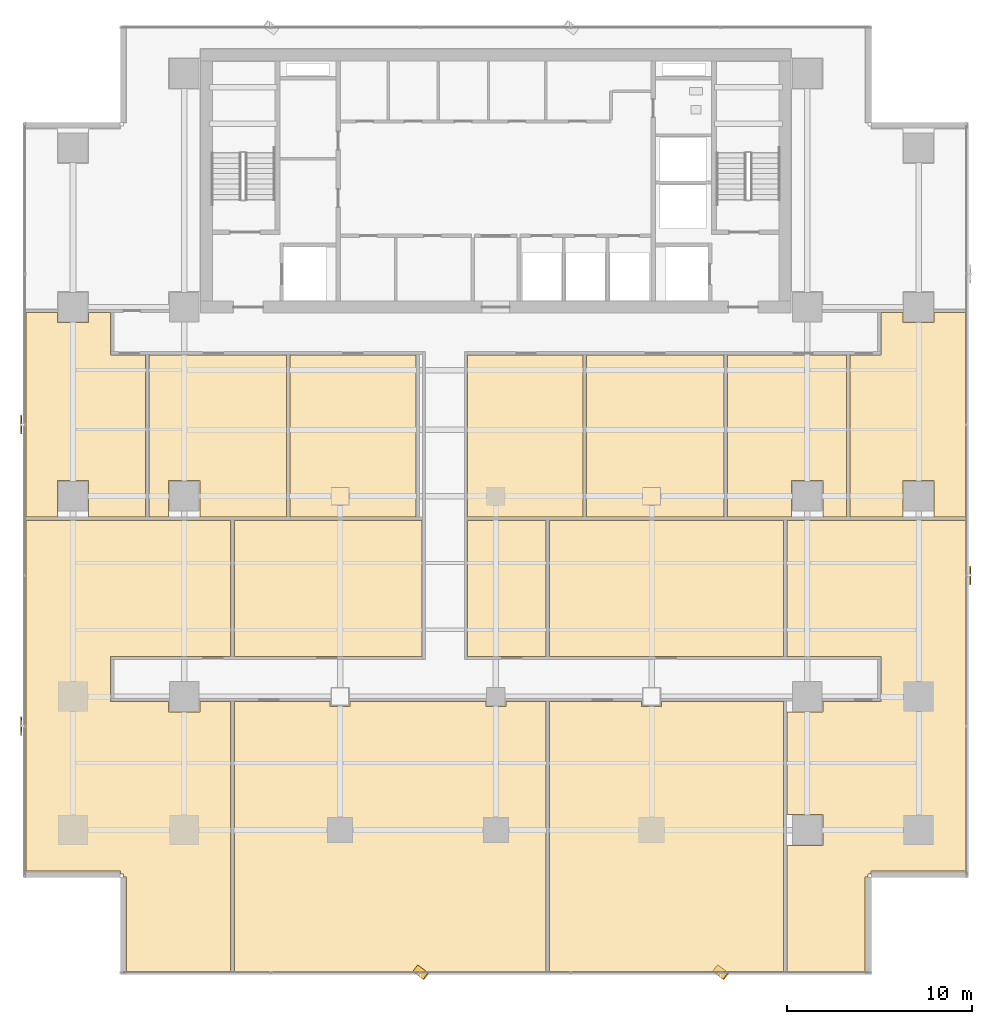
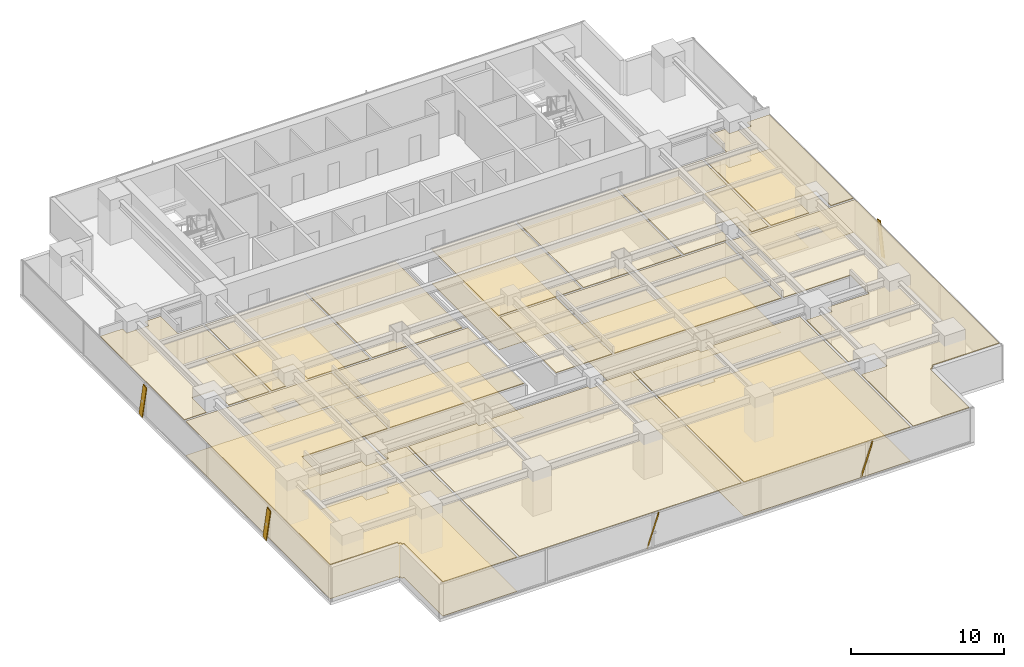
# One storey, part 33 of 37: 21 coverings, 5 shading devices.
"""IFC4 building model written with IfcOpenShell, lengths in metres."""

import ifcopenshell
import ifcopenshell.guid

model = None  # the IFC model being written
_history = None  # IfcOwnerHistory: only IFC2X3 demands one
_inside = {}  # id of a spatial element -> (the spatial element, [elements in it])
_under = {}  # id of a project, library or spatial element -> (it, [spatial elements below it])
_declared = {}  # id of a project -> (the project, [libraries it declares])
_typed = {}  # id of a type object -> (the type object, [elements of that type])
_made_of = {}  # id of a material, layer set ... -> (it, [elements and type objects made of it])


def new_model(schema):
    """Start an empty IFC model of exactly this schema.

    Asked for "IFC4X3", IfcOpenShell would pick the latest addendum, in which some entities
    have other attributes; the version numbers below select the first issue.
    IFC2X3 requires an IfcOwnerHistory on every rooted entity: one is made here for all.
    """
    global model, _history
    if schema == "IFC4X3":
        model = ifcopenshell.file(schema_version=(4, 3, 0, 0))
    else:
        model = ifcopenshell.file(schema=schema)
    _inside.clear()
    _under.clear()
    _declared.clear()
    _typed.clear()
    _made_of.clear()
    _history = None
    if model.schema == "IFC2X3":
        org = make("IfcOrganization", Name="unknown")
        user = make(
            "IfcPersonAndOrganization",
            ThePerson=make("IfcPerson", FamilyName="unknown"),
            TheOrganization=org,
        )
        app = make(
            "IfcApplication",
            ApplicationDeveloper=org,
            Version="unknown",
            ApplicationFullName="unknown",
            ApplicationIdentifier="unknown",
        )
        _history = make(
            "IfcOwnerHistory",
            OwningUser=user,
            OwningApplication=app,
            ChangeAction="ADDED",
            CreationDate=0,
        )
    return model


def make(cls, **values):
    """One entity of the class cls with the attributes given. An attribute that is None is left unset."""
    return model.create_entity(
        cls, **{name: value for name, value in values.items() if value is not None}
    )


def rooted(cls, **values):
    """An entity with a GlobalId (a new one), such as an element, a storey or a relation."""
    return make(cls, GlobalId=ifcopenshell.guid.new(), OwnerHistory=_history, **values)


def si_unit(unit_type, name, prefix=None):
    """IfcSIUnit, for example si_unit("LENGTHUNIT", "METRE", prefix="MILLI")."""
    return make("IfcSIUnit", UnitType=unit_type, Prefix=prefix, Name=name)


def assignment(units):
    """IfcUnitAssignment: the units of a project."""
    return None if units is None else make("IfcUnitAssignment", Units=units)


def point(xyz):
    """IfcCartesianPoint."""
    return None if xyz is None else make("IfcCartesianPoint", Coordinates=xyz)


def direction(xyz):
    """IfcDirection."""
    return None if xyz is None else make("IfcDirection", DirectionRatios=xyz)


def frame(location, z_axis=None, x_axis=None):
    """IfcAxis2Placement3D, a coordinate frame: its origin and axes. An axis left out is left unset."""
    return make(
        "IfcAxis2Placement3D",
        Location=point(location),
        Axis=direction(z_axis),
        RefDirection=direction(x_axis),
    )


def frame_2d(location, x_axis=None):
    """IfcAxis2Placement2D, a coordinate frame in the plane: its origin and x axis."""
    return make(
        "IfcAxis2Placement2D", Location=point(location), RefDirection=direction(x_axis)
    )


def origin():
    """The frame at (0, 0, 0) with its axes left unset."""
    return frame((0.0, 0.0, 0.0))


def origin_2d():
    """The frame at (0, 0) in the plane with its x axis left unset."""
    return frame_2d((0.0, 0.0))


def place(relative_to, where):
    """IfcLocalPlacement: puts the frame where relative to a parent placement (None: the world)."""
    return make(
        "IfcLocalPlacement", PlacementRelTo=relative_to, RelativePlacement=where
    )


def context(
    kind, dimensions, precision=None, world=None, true_north=None, identifier=None
):
    """IfcGeometricRepresentationContext, for example the 3D "Model" context."""
    return make(
        "IfcGeometricRepresentationContext",
        ContextIdentifier=identifier,
        ContextType=kind,
        CoordinateSpaceDimension=dimensions,
        Precision=precision,
        WorldCoordinateSystem=world,
        TrueNorth=true_north,
    )


def subcontext(parent, identifier, kind, view, scale=None):
    """IfcGeometricRepresentationSubContext, for example "Body" below "Model"."""
    return make(
        "IfcGeometricRepresentationSubContext",
        ContextIdentifier=identifier,
        ContextType=kind,
        ParentContext=parent,
        TargetScale=scale,
        TargetView=view,
    )


def project(units=None, contexts=None):
    """IfcProject with its units and contexts."""
    return rooted(
        "IfcProject",
        Name="project",
        RepresentationContexts=contexts,
        UnitsInContext=assignment(units),
    )


def spatial(cls, under=None, at=None, **own):
    """A site, building, storey or space (cls), placed at a placement, below another one or the project."""
    s = rooted(cls, ObjectPlacement=at, **own)
    if under is not None:
        _under.setdefault(under.id(), (under, []))[1].append(s)
    return s


def polyline(points):
    """IfcPolyline through the points."""
    return make("IfcPolyline", Points=[point(p) for p in points])


def profile(cls, at=None, kind="AREA", **sizes):
    """A parametric profile (cls). Its sizes go by their IFC names, for example OverallWidth=200.0."""
    return make(cls, ProfileType=kind, Position=at, **sizes)


def rectangle(**sizes):
    """IfcRectangleProfileDef."""
    return profile("IfcRectangleProfileDef", **sizes)


def outline(outer, holes=None, kind="AREA"):
    """IfcArbitraryClosedProfileDef: a profile drawn as a closed curve; with holes, ...WithVoids."""
    if holes is None:
        return make("IfcArbitraryClosedProfileDef", ProfileType=kind, OuterCurve=outer)
    return make(
        "IfcArbitraryProfileDefWithVoids",
        ProfileType=kind,
        OuterCurve=outer,
        InnerCurves=holes,
    )


def extrude(swept, where, along, depth):
    """IfcExtrudedAreaSolid: the profile swept, set in the frame where, extruded along a direction by depth."""
    return make(
        "IfcExtrudedAreaSolid",
        SweptArea=swept,
        Position=where,
        ExtrudedDirection=direction(along),
        Depth=depth,
    )


def shape(context_of_items, identifier, shape_type, items):
    """IfcShapeRepresentation: the items that make up one representation, for example the "Body"."""
    return make(
        "IfcShapeRepresentation",
        ContextOfItems=context_of_items,
        RepresentationIdentifier=identifier,
        RepresentationType=shape_type,
        Items=items,
    )


def source(mapping_origin, context_of_items, identifier, shape_type, items):
    """IfcRepresentationMap: a shape defined once, which mapped items show again and again."""
    return make(
        "IfcRepresentationMap",
        MappingOrigin=mapping_origin,
        MappedRepresentation=shape(context_of_items, identifier, shape_type, items),
    )


def transform(
    local_origin,
    x_axis=None,
    y_axis=None,
    z_axis=None,
    scale=None,
    scale2=None,
    scale3=None,
    uniform=True,
):
    """IfcCartesianTransformationOperator3D, or its non-uniform kind. x_axis, y_axis, z_axis: its Axis1, 2, 3."""
    if uniform:
        return make(
            "IfcCartesianTransformationOperator3D",
            Axis1=direction(x_axis),
            Axis2=direction(y_axis),
            LocalOrigin=point(local_origin),
            Scale=scale,
            Axis3=direction(z_axis),
        )
    return make(
        "IfcCartesianTransformationOperator3DnonUniform",
        Axis1=direction(x_axis),
        Axis2=direction(y_axis),
        LocalOrigin=point(local_origin),
        Scale=scale,
        Axis3=direction(z_axis),
        Scale2=scale2,
        Scale3=scale3,
    )


def mapped(mapping_source, mapping_target):
    """IfcMappedItem: shows the shape of a source again, moved by a transform."""
    return make(
        "IfcMappedItem", MappingSource=mapping_source, MappingTarget=mapping_target
    )


def material(Name=None, Category=None):
    """IfcMaterial."""
    return make("IfcMaterial", Name=Name, Category=Category)


def layer(
    of_material, thickness, ventilated=None, Name=None, Category=None, Priority=None
):
    """IfcMaterialLayer: one layer of a wall or slab, of a material (None: an air gap)."""
    return make(
        "IfcMaterialLayer",
        Material=of_material,
        LayerThickness=thickness,
        IsVentilated=ventilated,
        Name=Name,
        Category=Category,
        Priority=Priority,
    )


def layer_set(layers, Name=None):
    """IfcMaterialLayerSet."""
    return make("IfcMaterialLayerSet", MaterialLayers=layers, LayerSetName=Name)


def material_profile(
    of_material, cross_section, Name=None, Category=None, Priority=None
):
    """IfcMaterialProfile: a cross section and its material."""
    return make(
        "IfcMaterialProfile",
        Name=Name,
        Material=of_material,
        Profile=cross_section,
        Priority=Priority,
        Category=Category,
    )


def profile_set(profiles, Name=None, composite=None):
    """IfcMaterialProfileSet."""
    return make(
        "IfcMaterialProfileSet",
        Name=Name,
        MaterialProfiles=profiles,
        CompositeProfile=composite,
    )


def made_of(thing, what):
    """Note that an element or type object is made of a material, layer set ...; save() writes the relation."""
    if what is not None:
        _made_of.setdefault(what.id(), (what, []))[1].append(thing)
    return thing


def type_object(cls, material=None, **own):
    """A type object (cls), such as IfcWallType, which elements share."""
    return made_of(rooted(cls, **own), material)


def element(
    cls,
    number,
    at=None,
    inside=None,
    cuts=None,
    type_object=None,
    material=None,
    context=None,
    identifier="Body",
    shape_type=None,
    held_by="IfcProductDefinitionShape",
    body=None,
    shapes=None,
    **own,
):
    """One element of the class cls, such as IfcWall. Its Tag is "e" and its number.

    at: its placement. inside: the storey or other place that contains it. cuts: it is an
    opening in that element (IfcRelVoidsElement). A single representation is given by context,
    identifier, shape_type and body (its items); several are given by shapes. held_by: the class
    of the entity that holds the representations. save() writes the other relations.
    """
    e = rooted(cls, Tag="e%d" % number, ObjectPlacement=at, **own)
    if body is not None:
        shapes = [shape(context, identifier, shape_type, body)]
    if shapes is not None:
        e.Representation = make(held_by, Representations=shapes)
    if inside is not None:
        _inside.setdefault(inside.id(), (inside, []))[1].append(e)
    if cuts is not None:
        rooted(
            "IfcRelVoidsElement", RelatingBuildingElement=cuts, RelatedOpeningElement=e
        )
    if type_object is not None:
        _typed.setdefault(type_object.id(), (type_object, []))[1].append(e)
    return made_of(e, material)


def aggregate(whole, parts):
    """IfcRelAggregates: a whole, such as a stair, and the parts it consists of."""
    return rooted("IfcRelAggregates", RelatingObject=whole, RelatedObjects=parts)


def save(model, path):
    """Write the relations noted so far, then the file.

    IfcRelAggregates (storeys below a building ...), IfcRelContainedInSpatialStructure (elements
    in a storey), IfcRelDefinesByType, IfcRelAssociatesMaterial and IfcRelDeclares: one each for
    every whole, place, type object, material and project.
    """
    for whole, parts in _under.values():
        aggregate(whole, parts)
    for where, things in _inside.values():
        rooted(
            "IfcRelContainedInSpatialStructure",
            RelatedElements=things,
            RelatingStructure=where,
        )
    for kind, things in _typed.values():
        rooted("IfcRelDefinesByType", RelatedObjects=things, RelatingType=kind)
    for what, things in _made_of.values():
        rooted("IfcRelAssociatesMaterial", RelatedObjects=things, RelatingMaterial=what)
    for by, libraries in _declared.values():
        rooted("IfcRelDeclares", RelatingContext=by, RelatedDefinitions=libraries)
    model.write(path)


model = new_model("IFC4")

# Units and contexts
model_context = context("Model", 3, precision=1e-05, world=origin(), true_north=direction((0.0, 1.0)))
body_context = subcontext(model_context, "Body", "Model", "MODEL_VIEW")
ifc_project = project(units=[si_unit("LENGTHUNIT", "METRE"), si_unit("AREAUNIT", "SQUARE_METRE"), si_unit("VOLUMEUNIT", "CUBIC_METRE"), si_unit("PLANEANGLEUNIT", "RADIAN"), si_unit("MASSUNIT", "GRAM", prefix="KILO")], contexts=[model_context])

# Site, building, storey
site_placement = place(None, origin())
site = spatial("IfcSite", under=ifc_project, at=site_placement, CompositionType="ELEMENT")
building_placement = place(site_placement, origin())
building = spatial("IfcBuilding", under=site, at=building_placement, Name="Sumidabori Civic Tower", CompositionType="ELEMENT")
storey_placement = place(building_placement, frame((0.0, 0.0, 95.60009765625)))
storey = spatial("IfcBuildingStorey", under=building, at=storey_placement, Name="L24", CompositionType="ELEMENT", Elevation=95.60009765625)

# Coverings
ifc_material_1 = material(Name="Gypsum Coffered Acoustic Ceiling")
ifc_layer_1 = layer(ifc_material_1, 0.06494140625, Name="Gypsum Coffered Acoustic Ceiling")
ifc_layer_set_1 = layer_set([ifc_layer_1], Name="Gypsum Coffered Acoustic Ceiling")
covering_type_1 = type_object("IfcCoveringType", Name="CV-CEIL-AC4", PredefinedType="CEILING", material=ifc_layer_set_1)
covering_1_placement = place(storey_placement, frame((0.0, 0.0, 2.7099609375)))
element("IfcCovering", 1, at=covering_1_placement, inside=storey, type_object=covering_type_1, Name="Room Acoustic Ceiling L24-02", PredefinedType="CEILING", context=body_context, shape_type="SweptSolid", body=[
    extrude(outline(polyline([(-25.330078125, -1.10498046875), (-25.330078125, 9.905029296875), (-23.639892578125, 9.905029296875), (-23.639892578125, 9.360107421875), (-21.9599609375, 9.360107421875), (-21.9599609375, 9.905029296875), (-20.77001953125, 9.905029296875), (-20.77001953125, 7.6298828125), (-18.89501953125, 7.6298828125), (-18.89501953125, -1.10498046875), (-21.9599609375, -1.10498046875), (-21.9599609375, 0.840087890625), (-23.639892578125, 0.840087890625), (-23.639892578125, -1.10498046875), (-25.330078125, -1.10498046875)])), origin(), (0.0, 0.0, 1.0), 0.06494140625),
])
covering_2_placement = place(storey_placement, frame((0.0, 0.0, 2.7099609375)))
element("IfcCovering", 2, at=covering_2_placement, inside=storey, type_object=covering_type_1, Name="Room Acoustic Ceiling L24-03", PredefinedType="CEILING", context=body_context, shape_type="SweptSolid", body=[
    extrude(outline(polyline([(19.094970703125, 7.6298828125), (20.77001953125, 7.6298828125), (20.77001953125, 9.905029296875), (21.9599609375, 9.905029296875), (21.9599609375, 9.360107421875), (23.639892578125, 9.360107421875), (23.639892578125, 9.905029296875), (25.330078125, 9.905029296875), (25.330078125, -1.10498046875), (23.639892578125, -1.10498046875), (23.639892578125, 0.840087890625), (21.9599609375, 0.840087890625), (21.9599609375, -1.10498046875), (19.094970703125, -1.10498046875), (19.094970703125, 7.6298828125)])), origin(), (0.0, 0.0, 1.0), 0.06494140625),
])
covering_3_placement = place(storey_placement, frame((0.0, 0.0, 2.7099609375)))
element("IfcCovering", 3, at=covering_3_placement, inside=storey, type_object=covering_type_1, Name="Room Acoustic Ceiling L24-04", PredefinedType="CEILING", context=body_context, shape_type="SweptSolid", body=[
    extrude(outline(polyline([(12.4951171875, 7.6298828125), (18.905029296875, 7.6298828125), (18.905029296875, -1.10498046875), (17.639892578125, -1.10498046875), (17.639892578125, 0.840087890625), (15.9599609375, 0.840087890625), (15.9599609375, -1.10498046875), (12.4951171875, -1.10498046875), (12.4951171875, 7.6298828125)])), origin(), (0.0, 0.0, 1.0), 0.06494140625),
])
covering_4_placement = place(storey_placement, frame((0.0, 0.0, 2.7099609375)))
element("IfcCovering", 4, at=covering_4_placement, inside=storey, type_object=covering_type_1, Name="Room Acoustic Ceiling L24-05", PredefinedType="CEILING", context=body_context, shape_type="SweptSolid", body=[
    extrude(outline(polyline([(-18.705078125, 7.6298828125), (-11.294921875, 7.6298828125), (-11.294921875, -1.10498046875), (-15.9599609375, -1.10498046875), (-15.9599609375, 0.840087890625), (-17.639892578125, 0.840087890625), (-17.639892578125, -1.10498046875), (-18.705078125, -1.10498046875), (-18.705078125, 7.6298828125)])), origin(), (0.0, 0.0, 1.0), 0.06494140625),
])
covering_5_placement = place(storey_placement, frame((0.0, 0.0, 2.7099609375)))
element("IfcCovering", 5, at=covering_5_placement, inside=storey, type_object=covering_type_1, Name="Room Acoustic Ceiling L24-06", PredefinedType="CEILING", context=body_context, shape_type="SweptSolid", body=[
    extrude(outline(polyline([(-11.10498046875, 7.6298828125), (-4.294921875, 7.6298828125), (-4.294921875, -1.10498046875), (-11.10498046875, -1.10498046875), (-11.10498046875, 7.6298828125)])), origin(), (0.0, 0.0, 1.0), 0.06494140625),
])
covering_6_placement = place(storey_placement, frame((0.0, 0.0, 2.7099609375)))
element("IfcCovering", 6, at=covering_6_placement, inside=storey, type_object=covering_type_1, Name="Room Acoustic Ceiling L24-07", PredefinedType="CEILING", context=body_context, shape_type="SweptSolid", body=[
    extrude(outline(polyline([(-1.530029296875, 7.6298828125), (4.705078125, 7.6298828125), (4.705078125, -1.10498046875), (-1.530029296875, -1.10498046875), (-1.530029296875, 7.6298828125)])), origin(), (0.0, 0.0, 1.0), 0.06494140625),
])
covering_7_placement = place(storey_placement, frame((0.0, 0.0, 2.7099609375)))
element("IfcCovering", 7, at=covering_7_placement, inside=storey, type_object=covering_type_1, Name="Room Acoustic Ceiling L24-08", PredefinedType="CEILING", context=body_context, shape_type="SweptSolid", body=[
    extrude(outline(polyline([(4.89501953125, 7.6298828125), (12.304931640625, 7.6298828125), (12.304931640625, -1.10498046875), (4.89501953125, -1.10498046875), (4.89501953125, 7.6298828125)])), origin(), (0.0, 0.0, 1.0), 0.06494140625),
])
covering_8_placement = place(storey_placement, frame((0.0, 0.0, 2.7099609375)))
element("IfcCovering", 8, at=covering_8_placement, inside=storey, type_object=covering_type_1, Name="Room Acoustic Ceiling L24-09", PredefinedType="CEILING", context=body_context, shape_type="SweptSolid", body=[
    extrude(outline(polyline([(-3.969970703125, -8.6298828125), (-14.10498046875, -8.6298828125), (-14.10498046875, -1.294921875), (-3.969970703125, -1.294921875), (-3.969970703125, -8.6298828125)])), origin(), (0.0, 0.0, 1.0), 0.06494140625),
])
covering_9_placement = place(storey_placement, frame((0.0, 0.0, 2.7099609375)))
element("IfcCovering", 9, at=covering_9_placement, inside=storey, type_object=covering_type_1, Name="Room Acoustic Ceiling L24-10", PredefinedType="CEILING", context=body_context, shape_type="SweptSolid", body=[
    extrude(outline(polyline([(-1.530029296875, -8.6298828125), (-1.530029296875, -1.294921875), (2.705078125, -1.294921875), (2.705078125, -8.6298828125), (-1.530029296875, -8.6298828125)])), origin(), (0.0, 0.0, 1.0), 0.06494140625),
])
covering_10_placement = place(storey_placement, frame((0.0, 0.0, 2.7099609375)))
element("IfcCovering", 10, at=covering_10_placement, inside=storey, type_object=covering_type_1, Name="Room Acoustic Ceiling L24-11", PredefinedType="CEILING", context=body_context, shape_type="SweptSolid", body=[
    extrude(outline(polyline([(2.89501953125, -8.6298828125), (2.89501953125, -1.294921875), (15.5048828125, -1.294921875), (15.5048828125, -8.6298828125), (2.89501953125, -8.6298828125)])), origin(), (0.0, 0.0, 1.0), 0.06494140625),
])
covering_11_placement = place(storey_placement, frame((0.0, 0.0, 2.7099609375)))
element("IfcCovering", 11, at=covering_11_placement, inside=storey, type_object=covering_type_1, Name="Room Acoustic Ceiling L24-12", PredefinedType="CEILING", context=body_context, shape_type="SweptSolid", body=[
    extrude(outline(polyline([(15.695068359375, -18.840087890625), (17.639892578125, -18.840087890625), (17.639892578125, -17.159912109375), (15.695068359375, -17.159912109375), (15.695068359375, -11.639892578125), (17.639892578125, -11.639892578125), (17.639892578125, -11.070068359375), (20.77001953125, -11.070068359375), (20.77001953125, -8.6298828125), (15.695068359375, -8.6298828125), (15.695068359375, -1.294921875), (25.330078125, -1.294921875), (25.330078125, -20.221923828125), (20.241943359375, -20.221923828125), (20.241943359375, -20.3798828125), (20.080078125, -20.3798828125), (20.080078125, -20.5419921875), (19.922119140625, -20.5419921875), (19.922119140625, -25.6298828125), (15.695068359375, -25.6298828125), (15.695068359375, -18.840087890625)])), origin(), (0.0, 0.0, 1.0), 0.06494140625),
])
covering_12_placement = place(storey_placement, frame((0.0, 0.0, 2.7099609375)))
element("IfcCovering", 12, at=covering_12_placement, inside=storey, type_object=covering_type_1, Name="Room Acoustic Ceiling L24-13", PredefinedType="CEILING", context=body_context, shape_type="SweptSolid", body=[
    extrude(outline(polyline([(-25.330078125, -20.221923828125), (-25.330078125, -1.294921875), (-14.294921875, -1.294921875), (-14.294921875, -8.6298828125), (-20.77001953125, -8.6298828125), (-20.77001953125, -11.070068359375), (-17.639892578125, -11.070068359375), (-17.639892578125, -11.639892578125), (-15.9599609375, -11.639892578125), (-15.9599609375, -11.070068359375), (-14.294921875, -11.070068359375), (-14.294921875, -25.6298828125), (-19.922119140625, -25.6298828125), (-19.922119140625, -20.5419921875), (-20.080078125, -20.5419921875), (-20.080078125, -20.3798828125), (-20.241943359375, -20.3798828125), (-20.241943359375, -20.221923828125), (-25.330078125, -20.221923828125)])), origin(), (0.0, 0.0, 1.0), 0.06494140625),
])
covering_13_placement = place(storey_placement, frame((0.0, 0.0, 2.7099609375)))
element("IfcCovering", 13, at=covering_13_placement, inside=storey, type_object=covering_type_1, Name="Room Acoustic Ceiling L24-14", PredefinedType="CEILING", context=body_context, shape_type="SweptSolid", body=[
    extrude(outline(polyline([(-14.10498046875, -11.070068359375), (-8.93994140625, -11.070068359375), (-8.93994140625, -11.340087890625), (-7.860107421875, -11.340087890625), (-7.860107421875, -11.070068359375), (-0.5400390625, -11.070068359375), (-0.5400390625, -11.340087890625), (0.5400390625, -11.340087890625), (0.5400390625, -11.070068359375), (2.705078125, -11.070068359375), (2.705078125, -25.6298828125), (-14.10498046875, -25.6298828125), (-14.10498046875, -11.070068359375)])), origin(), (0.0, 0.0, 1.0), 0.06494140625),
])
covering_14_placement = place(storey_placement, frame((0.0, 0.0, 2.7099609375)))
element("IfcCovering", 14, at=covering_14_placement, inside=storey, type_object=covering_type_1, Name="Room Acoustic Ceiling L24-15", PredefinedType="CEILING", context=body_context, shape_type="SweptSolid", body=[
    extrude(outline(polyline([(2.89501953125, -11.070068359375), (7.860107421875, -11.070068359375), (7.860107421875, -11.340087890625), (8.93994140625, -11.340087890625), (8.93994140625, -11.070068359375), (15.5048828125, -11.070068359375), (15.5048828125, -25.6298828125), (2.89501953125, -25.6298828125), (2.89501953125, -11.070068359375)])), origin(), (0.0, 0.0, 1.0), 0.06494140625),
])
ifc_material_2 = material(Name="Honed Terrazzo Tile Flooring")
ifc_layer_2 = layer(ifc_material_2, 0.030029296875, Name="Honed Terrazzo Tile Flooring")
ifc_layer_set_2 = layer_set([ifc_layer_2], Name="Honed Terrazzo Tile Flooring")
covering_type_2 = type_object("IfcCoveringType", Name="CV-FLR-TER", PredefinedType="FLOORING", material=ifc_layer_set_2)
covering_15_placement = place(storey_placement, origin())
element("IfcCovering", 15, at=covering_15_placement, inside=storey, type_object=covering_type_2, Name="Room Terrazzo Floor L24-03", PredefinedType="FLOORING", context=body_context, shape_type="SweptSolid", body=[
    extrude(outline(polyline([(19.094970703125, 7.6298828125), (20.77001953125, 7.6298828125), (20.77001953125, 9.905029296875), (21.9599609375, 9.905029296875), (21.9599609375, 9.360107421875), (23.639892578125, 9.360107421875), (23.639892578125, 9.905029296875), (25.330078125, 9.905029296875), (25.330078125, -1.10498046875), (23.639892578125, -1.10498046875), (23.639892578125, 0.840087890625), (21.9599609375, 0.840087890625), (21.9599609375, -1.10498046875), (19.094970703125, -1.10498046875), (19.094970703125, 7.6298828125)])), origin(), (0.0, 0.0, 1.0), 0.02978515625),
])
covering_16_placement = place(storey_placement, origin())
element("IfcCovering", 16, at=covering_16_placement, inside=storey, type_object=covering_type_2, Name="Room Terrazzo Floor L24-05", PredefinedType="FLOORING", context=body_context, shape_type="SweptSolid", body=[
    extrude(outline(polyline([(-18.705078125, 7.6298828125), (-11.294921875, 7.6298828125), (-11.294921875, -1.10498046875), (-15.9599609375, -1.10498046875), (-15.9599609375, 0.840087890625), (-17.639892578125, 0.840087890625), (-17.639892578125, -1.10498046875), (-18.705078125, -1.10498046875), (-18.705078125, 7.6298828125)])), origin(), (0.0, 0.0, 1.0), 0.02978515625),
])
covering_17_placement = place(storey_placement, origin())
element("IfcCovering", 17, at=covering_17_placement, inside=storey, type_object=covering_type_2, Name="Room Terrazzo Floor L24-07", PredefinedType="FLOORING", context=body_context, shape_type="SweptSolid", body=[
    extrude(outline(polyline([(-1.530029296875, 7.6298828125), (4.705078125, 7.6298828125), (4.705078125, -1.10498046875), (-1.530029296875, -1.10498046875), (-1.530029296875, 7.6298828125)])), origin(), (0.0, 0.0, 1.0), 0.02978515625),
])
covering_18_placement = place(storey_placement, origin())
element("IfcCovering", 18, at=covering_18_placement, inside=storey, type_object=covering_type_2, Name="Room Terrazzo Floor L24-09", PredefinedType="FLOORING", context=body_context, shape_type="SweptSolid", body=[
    extrude(outline(polyline([(-3.969970703125, -8.6298828125), (-14.10498046875, -8.6298828125), (-14.10498046875, -1.294921875), (-3.969970703125, -1.294921875), (-3.969970703125, -8.6298828125)])), origin(), (0.0, 0.0, 1.0), 0.02978515625),
])
covering_19_placement = place(storey_placement, origin())
element("IfcCovering", 19, at=covering_19_placement, inside=storey, type_object=covering_type_2, Name="Room Terrazzo Floor L24-11", PredefinedType="FLOORING", context=body_context, shape_type="SweptSolid", body=[
    extrude(outline(polyline([(2.89501953125, -8.6298828125), (2.89501953125, -1.294921875), (15.5048828125, -1.294921875), (15.5048828125, -8.6298828125), (2.89501953125, -8.6298828125)])), origin(), (0.0, 0.0, 1.0), 0.02978515625),
])
covering_20_placement = place(storey_placement, origin())
element("IfcCovering", 20, at=covering_20_placement, inside=storey, type_object=covering_type_2, Name="Room Terrazzo Floor L24-13", PredefinedType="FLOORING", context=body_context, shape_type="SweptSolid", body=[
    extrude(outline(polyline([(-25.330078125, -20.221923828125), (-25.330078125, -1.294921875), (-14.294921875, -1.294921875), (-14.294921875, -8.6298828125), (-20.77001953125, -8.6298828125), (-20.77001953125, -11.070068359375), (-17.639892578125, -11.070068359375), (-17.639892578125, -11.639892578125), (-15.9599609375, -11.639892578125), (-15.9599609375, -11.070068359375), (-14.294921875, -11.070068359375), (-14.294921875, -25.6298828125), (-19.922119140625, -25.6298828125), (-19.922119140625, -20.5419921875), (-20.080078125, -20.5419921875), (-20.080078125, -20.3798828125), (-20.241943359375, -20.3798828125), (-20.241943359375, -20.221923828125), (-25.330078125, -20.221923828125)])), origin(), (0.0, 0.0, 1.0), 0.02978515625),
])
covering_21_placement = place(storey_placement, origin())
element("IfcCovering", 21, at=covering_21_placement, inside=storey, type_object=covering_type_2, Name="Room Terrazzo Floor L24-15", PredefinedType="FLOORING", context=body_context, shape_type="SweptSolid", body=[
    extrude(outline(polyline([(2.89501953125, -11.070068359375), (7.860107421875, -11.070068359375), (7.860107421875, -11.340087890625), (8.93994140625, -11.340087890625), (8.93994140625, -11.070068359375), (15.5048828125, -11.070068359375), (15.5048828125, -25.6298828125), (2.89501953125, -25.6298828125), (2.89501953125, -11.070068359375)])), origin(), (0.0, 0.0, 1.0), 0.02978515625),
])

# Shading devices
ifc_material_3 = material(Name="Anodised Bronze Aluminium AW-6063-T6", Category="aluminium")
ifc_material_profile = material_profile(ifc_material_3, rectangle(XDim=0.06005859375, YDim=0.449951171875, at=origin_2d()), Name="BRONZE FIN 450x60")
ifc_profile_set = profile_set([ifc_material_profile], Name="Anodised Bronze Aluminium AW-6063-T6")
shading_device_type = type_object("IfcShadingDeviceType", Name="SH-FIN-450", PredefinedType="USERDEFINED", material=ifc_profile_set)
shared_shape_1 = source(origin(), body_context, "Body", "SweptSolid", [
    extrude(rectangle(XDim=0.06005859375, YDim=0.449951171875, at=origin_2d()), origin(), (0.0, 0.0, 1.0), 2.769775390625),
])
for number, where, z_axis, x_axis, name in (
    (22, (-4.323974609375, -25.469970703125, 0.02001953125), (0.202198633998, -0.151604904305, 0.967538973582), (0.774112159528, -0.58041539424, -0.252721852241), "Bronze Anodised Diagonal Fin L24-02"),
    (23, (11.85205078125, -25.469970703125, 0.02001953125), (0.202198633998, -0.151604904305, 0.967538973582), (0.774112159528, -0.58041539424, -0.252721852241), "Bronze Anodised Diagonal Fin L24-04"),
):
    element("IfcShadingDevice", number, at=place(storey_placement, frame(where, z_axis=z_axis, x_axis=x_axis)), inside=storey, type_object=shading_device_type, Name=name, ObjectType="FIN", PredefinedType="USERDEFINED", context=body_context, shape_type="MappedRepresentation", body=[
        mapped(shared_shape_1, transform((0.0, 0.0, 0.0), x_axis=(1.0, 0.0, 0.0), y_axis=(0.0, 1.0, 0.0), z_axis=(0.0, 0.0, 1.0), scale=1.0)),
    ])
shared_shape_2 = source(origin(), body_context, "Body", "SweptSolid", [
    extrude(rectangle(XDim=0.06005859375, YDim=0.449951171875, at=origin_2d()), origin(), (0.0, 0.0, 1.0), 2.73779296875),
])
for number, where, z_axis, x_axis, name in (
    (24, (25.590087890625, -4.5439453125, 0.02001953125), (0.0, 0.204563143937, 0.978853370093), (-1.0, 0.0, 0.0), "Bronze Anodised Diagonal Fin L24-02"),
    (25, (-25.590087890625, 4.14404296875, 0.02001953125), (0.0, -0.204563143937, 0.978853370093), (-1.0, 0.0, 0.0), "Bronze Anodised Diagonal Fin L24-02"),
    (26, (-25.590087890625, -12.112060546875, 0.02001953125), (0.0, -0.204563143937, 0.978853370093), (-1.0, 0.0, 0.0), "Bronze Anodised Diagonal Fin L24-04"),
):
    element("IfcShadingDevice", number, at=place(storey_placement, frame(where, z_axis=z_axis, x_axis=x_axis)), inside=storey, type_object=shading_device_type, Name=name, ObjectType="FIN", PredefinedType="USERDEFINED", context=body_context, shape_type="MappedRepresentation", body=[
        mapped(shared_shape_2, transform((0.0, 0.0, 0.0), x_axis=(1.0, 0.0, 0.0), y_axis=(0.0, 1.0, 0.0), z_axis=(0.0, 0.0, 1.0), scale=1.0)),
    ])

save(model, "model.ifc")
